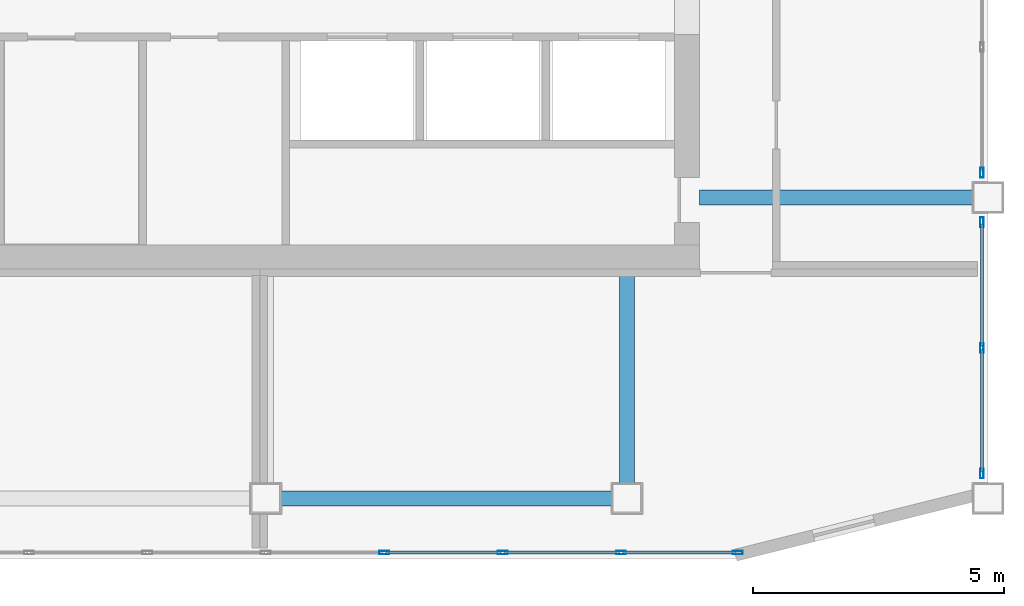
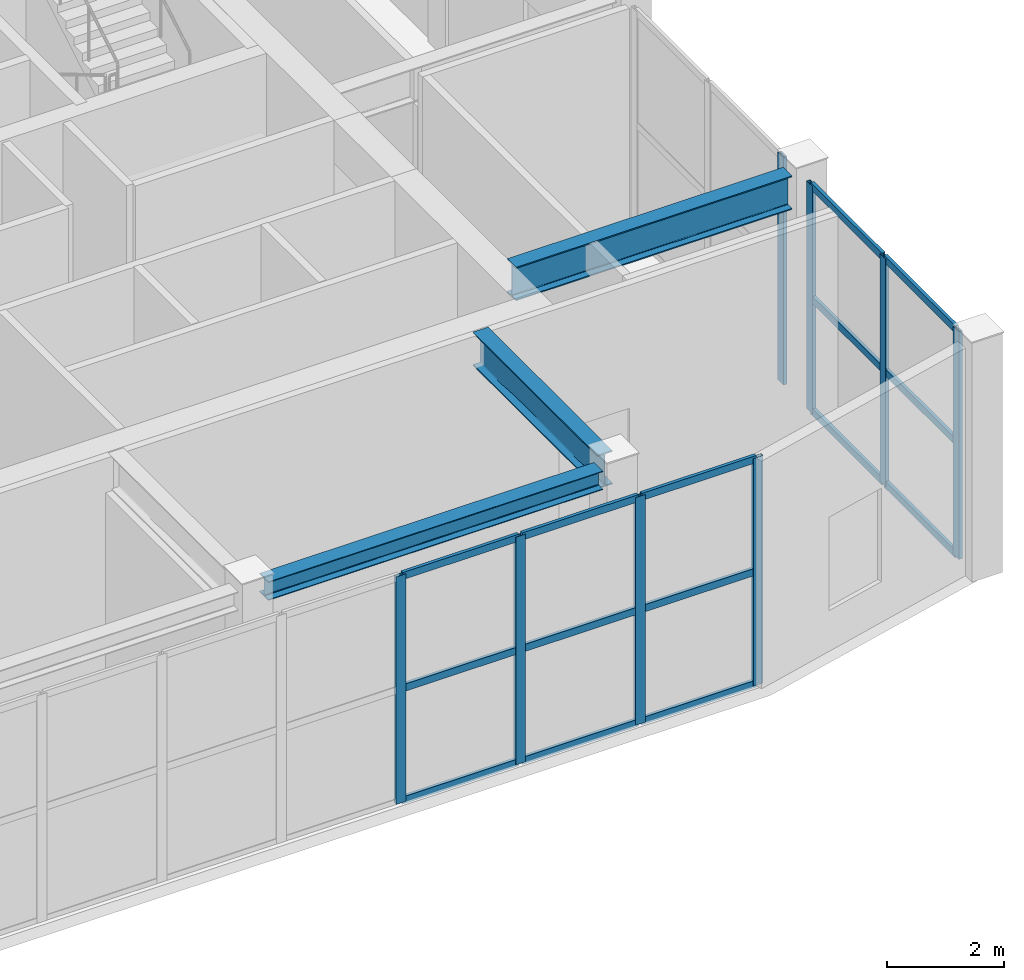
# One storey, part 4 of 11: 23 members, 3 beams, 3 elements without a shape of their own.
"""IFC4 building model written with IfcOpenShell, lengths in metres."""

from ifc_helpers import new_model, si_unit, direction, frame, origin, origin_2d, place, context, subcontext, project, spatial, hollow_rectangle, i_section, extrude, material, layer, layer_set, material_profile, profile_set, type_object, element, aggregate, save


model = new_model("IFC4")

# Units and contexts
model_context = context("Model", 3, precision=1e-05, world=origin(), true_north=direction((0.0, 1.0)))
body_context = subcontext(model_context, "Body", "Model", "MODEL_VIEW")
ifc_project = project(units=[si_unit("LENGTHUNIT", "METRE"), si_unit("AREAUNIT", "SQUARE_METRE"), si_unit("VOLUMEUNIT", "CUBIC_METRE"), si_unit("PLANEANGLEUNIT", "RADIAN"), si_unit("MASSUNIT", "GRAM", prefix="KILO")], contexts=[model_context])

# Site, building, storey
site_placement = place(None, origin())
site = spatial("IfcSite", under=ifc_project, at=site_placement, CompositionType="ELEMENT")
building_placement = place(site_placement, origin())
building = spatial("IfcBuilding", under=site, at=building_placement, Name="Haolan Belvedere Tower", CompositionType="ELEMENT")
storey_placement = place(building_placement, frame((0.0, 0.0, 323.199951171875)))
storey = spatial("IfcBuildingStorey", under=building, at=storey_placement, Name="L81", CompositionType="ELEMENT", Elevation=323.199951171875)

# Beams
ifc_material_1 = material(Name="Steel Q355B", Category="steel")
ifc_material_profile_1 = material_profile(ifc_material_1, i_section(OverallWidth=0.300048828125, OverallDepth=0.389892578125, WebThickness=0.010009765625, FlangeThickness=0.01611328125, FilletRadius=0.02197265625, at=origin_2d()), Name="Steel Q355B")
ifc_profile_set_1 = profile_set([ifc_material_profile_1], Name="Steel Q355B")
beam_type_1 = type_object("IfcBeamType", Name="BM-HM390x300x10x16", PredefinedType="SPANDREL", material=ifc_profile_set_1)
beam_1_placement = place(storey_placement, frame((38.699951171875, 21.60009765625, 4.554931640625), z_axis=(1.0, 0.0, 0.0), x_axis=(0.0, 1.0, 0.0)))
element("IfcBeam", 1, at=beam_1_placement, inside=storey, type_object=beam_type_1, Name="L81 spandrel girder TC-T3-SM-MC-T3-S2", PredefinedType="SPANDREL", context=body_context, shape_type="SweptSolid", body=[
    extrude(i_section(OverallWidth=0.300048828125, OverallDepth=0.389892578125, WebThickness=0.010009765625, FlangeThickness=0.01611328125, FilletRadius=0.02197265625, at=origin_2d()), origin(), (0.0, 0.0, 1.0), 6.60009765625),
])
ifc_material_profile_2 = material_profile(ifc_material_1, i_section(OverallWidth=0.300048828125, OverallDepth=0.699951171875, WebThickness=0.012939453125, FlangeThickness=0.02392578125, FilletRadius=0.02587890625, at=origin_2d()), Name="Steel Q355B")
ifc_profile_set_2 = profile_set([ifc_material_profile_2], Name="Steel Q355B")
beam_type_2 = type_object("IfcBeamType", Name="BM-HN700x300x13x24", PredefinedType="BEAM", material=ifc_profile_set_2)
beam_2_placement = place(storey_placement, frame((52.5, 27.60009765625, 4.400146484375), z_axis=(-1.0, 0.0, 0.0), x_axis=(0.0, -1.0, 0.0)))
element("IfcBeam", 2, at=beam_2_placement, inside=storey, type_object=beam_type_2, Name="L81 core tie beam from TC-T3-E1", PredefinedType="BEAM", context=body_context, shape_type="SweptSolid", body=[
    extrude(i_section(OverallWidth=0.300048828125, OverallDepth=0.699951171875, WebThickness=0.012939453125, FlangeThickness=0.02392578125, FilletRadius=0.02587890625, at=origin_2d()), origin(), (0.0, 0.0, 1.0), 5.449951171875),
])
beam_3_placement = place(storey_placement, frame((45.60009765625, 21.89990234375, 4.400146484375), z_axis=(0.0, 1.0, 0.0), x_axis=(-1.0, 0.0, 0.0)))
element("IfcBeam", 3, at=beam_3_placement, inside=storey, type_object=beam_type_2, Name="L81 core tie beam from MC-T3-S2", PredefinedType="BEAM", context=body_context, shape_type="SweptSolid", body=[
    extrude(i_section(OverallWidth=0.300048828125, OverallDepth=0.699951171875, WebThickness=0.012939453125, FlangeThickness=0.02392578125, FilletRadius=0.02587890625, at=origin_2d()), origin(), (0.0, 0.0, 1.0), 4.25),
])

# Curtain wall, members
ifc_material_2 = material(Name="Anodised champagne-silver aluminium 6063-T6 and Low-E glass", Category="aluminium")
ifc_layer = layer(ifc_material_2, 0.195068359375, Name="Anodised champagne-silver aluminium 6063-T6 and Low-E glass")
ifc_layer_set = layer_set([ifc_layer], Name="Anodised champagne-silver aluminium 6063-T6 and Low-E glass")
curtain_wall_type = type_object("IfcCurtainWallType", Name="CW-SYS-06", PredefinedType="NOTDEFINED", material=ifc_layer_set)
curtain_wall_1_placement = place(storey_placement, origin())
curtain_wall_1 = element("IfcCurtainWall", 4, at=curtain_wall_1_placement, inside=storey, type_object=curtain_wall_type, Name="L81 CW-SYS-06 ribbon curtain wall 1.1", PredefinedType="NOTDEFINED")
ifc_material_3 = material(Name="Anodised aluminium 6063-T6", Category="aluminium")
ifc_material_profile_3 = material_profile(ifc_material_3, hollow_rectangle(XDim=0.070068359375, YDim=0.195068359375, WallThickness=0.00390625, at=origin_2d()), Name="Anodised aluminium 6063-T6")
ifc_profile_set_3 = profile_set([ifc_material_profile_3], Name="Anodised aluminium 6063-T6")
member_type_1 = type_object("IfcMemberType", Name="CW-SYS-06-MUL", PredefinedType="MULLION", material=ifc_profile_set_3)
member_1_placement = place(storey_placement, frame((40.76123046875, 20.52001953125, 0.0), z_axis=(0.0, 0.0, 1.0), x_axis=(0.0, 1.0, 0.0)))
member_1 = element("IfcMember", 5, at=member_1_placement, type_object=member_type_1, Name="CW-06 mullion 6", PredefinedType="MULLION", context=body_context, shape_type="SweptSolid", body=[
    extrude(hollow_rectangle(XDim=0.070068359375, YDim=0.195068359375, WallThickness=0.00390625, at=origin_2d()), origin(), (0.0, 0.0, 1.0), 4.75),
])
member_2_placement = place(storey_placement, frame((43.12255859375, 20.52001953125, 0.0), z_axis=(0.0, 0.0, 1.0), x_axis=(0.0, 1.0, 0.0)))
member_2 = element("IfcMember", 6, at=member_2_placement, type_object=member_type_1, Name="CW-06 mullion 7", PredefinedType="MULLION", context=body_context, shape_type="SweptSolid", body=[
    extrude(hollow_rectangle(XDim=0.070068359375, YDim=0.195068359375, WallThickness=0.00390625, at=origin_2d()), origin(), (0.0, 0.0, 1.0), 4.75),
])
member_3_placement = place(storey_placement, frame((45.48388671875, 20.52001953125, 0.0), z_axis=(0.0, 0.0, 1.0), x_axis=(0.0, 1.0, 0.0)))
member_3 = element("IfcMember", 7, at=member_3_placement, type_object=member_type_1, Name="CW-06 mullion 8", PredefinedType="MULLION", context=body_context, shape_type="SweptSolid", body=[
    extrude(hollow_rectangle(XDim=0.070068359375, YDim=0.195068359375, WallThickness=0.00390625, at=origin_2d()), origin(), (0.0, 0.0, 1.0), 4.75),
])
member_4_placement = place(storey_placement, frame((47.810302734375, 20.52001953125, 0.0), z_axis=(0.0, 0.0, 1.0), x_axis=(0.0, 1.0, 0.0)))
member_4 = element("IfcMember", 8, at=member_4_placement, type_object=member_type_1, Name="CW-06 mullion 9", PredefinedType="MULLION", context=body_context, shape_type="SweptSolid", body=[
    extrude(hollow_rectangle(XDim=0.070068359375, YDim=0.195068359375, WallThickness=0.00390625, at=origin_2d()), origin(), (0.0, 0.0, 1.0), 4.75),
])

curtain_wall_2_placement = place(storey_placement, origin())
curtain_wall_2 = element("IfcCurtainWall", 9, at=curtain_wall_2_placement, inside=storey, type_object=curtain_wall_type, Name="L81 CW-SYS-06 ribbon curtain wall 3.1", PredefinedType="NOTDEFINED")
member_5_placement = place(storey_placement, frame((52.679931640625, 22.094970703125, 0.0), z_axis=(0.0, 0.0, 1.0), x_axis=(-1.0, 0.0, 0.0)))
member_5 = element("IfcMember", 10, at=member_5_placement, type_object=member_type_1, Name="CW-06 mullion 1", PredefinedType="MULLION", context=body_context, shape_type="SweptSolid", body=[
    extrude(hollow_rectangle(XDim=0.070068359375, YDim=0.195068359375, WallThickness=0.00390625, at=origin_2d()), origin(), (0.0, 0.0, 1.0), 4.75),
])
member_6_placement = place(storey_placement, frame((52.679931640625, 24.60009765625, 0.0), z_axis=(0.0, 0.0, 1.0), x_axis=(-1.0, 0.0, 0.0)))
member_6 = element("IfcMember", 11, at=member_6_placement, type_object=member_type_1, Name="CW-06 mullion 2", PredefinedType="MULLION", context=body_context, shape_type="SweptSolid", body=[
    extrude(hollow_rectangle(XDim=0.070068359375, YDim=0.195068359375, WallThickness=0.00390625, at=origin_2d()), origin(), (0.0, 0.0, 1.0), 4.75),
])
member_7_placement = place(storey_placement, frame((52.679931640625, 27.10498046875, 0.0), z_axis=(0.0, 0.0, 1.0), x_axis=(-1.0, 0.0, 0.0)))
member_7 = element("IfcMember", 12, at=member_7_placement, type_object=member_type_1, Name="CW-06 mullion 3", PredefinedType="MULLION", context=body_context, shape_type="SweptSolid", body=[
    extrude(hollow_rectangle(XDim=0.070068359375, YDim=0.195068359375, WallThickness=0.00390625, at=origin_2d()), origin(), (0.0, 0.0, 1.0), 4.75),
])

# Curtain wall, member
curtain_wall_3_placement = place(storey_placement, origin())
curtain_wall_3 = element("IfcCurtainWall", 13, at=curtain_wall_3_placement, inside=storey, type_object=curtain_wall_type, Name="L81 CW-SYS-06 ribbon curtain wall 3.2", PredefinedType="NOTDEFINED")
member_8_placement = place(storey_placement, frame((52.679931640625, 28.094970703125, 0.0), z_axis=(0.0, 0.0, 1.0), x_axis=(-1.0, 0.0, 0.0)))
member_8 = element("IfcMember", 14, at=member_8_placement, type_object=member_type_1, Name="CW-06 mullion 1", PredefinedType="MULLION", context=body_context, shape_type="SweptSolid", body=[
    extrude(hollow_rectangle(XDim=0.070068359375, YDim=0.195068359375, WallThickness=0.00390625, at=origin_2d()), origin(), (0.0, 0.0, 1.0), 4.75),
])
aggregate(curtain_wall_3, [member_8])

# Member
ifc_material_profile_4 = material_profile(ifc_material_3, hollow_rectangle(XDim=0.06494140625, YDim=0.14990234375, WallThickness=0.00390625, at=origin_2d()), Name="Anodised aluminium 6063-T6")
ifc_profile_set_4 = profile_set([ifc_material_profile_4], Name="Anodised aluminium 6063-T6")
member_type_2 = type_object("IfcMemberType", Name="CW-SYS-06-TRN", PredefinedType="USERDEFINED", material=ifc_profile_set_4)
member_9_placement = place(storey_placement, frame((40.79638671875, 20.52001953125, 0.032470703125), z_axis=(1.0, 0.0, 0.0), x_axis=(0.0, 1.0, 0.0)))
member_9 = element("IfcMember", 15, at=member_9_placement, type_object=member_type_2, Name="CW-06 transom 6.1", ObjectType="TRANSOM", PredefinedType="USERDEFINED", context=body_context, shape_type="SweptSolid", body=[
    extrude(hollow_rectangle(XDim=0.06494140625, YDim=0.14990234375, WallThickness=0.00390625, at=origin_2d()), origin(), (0.0, 0.0, 1.0), 2.291259765625),
])

member_10_placement = place(storey_placement, frame((40.79638671875, 20.52001953125, 2.375), z_axis=(1.0, 0.0, 0.0), x_axis=(0.0, 1.0, 0.0)))
member_10 = element("IfcMember", 16, at=member_10_placement, type_object=member_type_2, Name="CW-06 transom 6.2", ObjectType="TRANSOM", PredefinedType="USERDEFINED", context=body_context, shape_type="SweptSolid", body=[
    extrude(hollow_rectangle(XDim=0.06494140625, YDim=0.14990234375, WallThickness=0.00390625, at=origin_2d()), origin(), (0.0, 0.0, 1.0), 2.291259765625),
])

member_11_placement = place(storey_placement, frame((40.79638671875, 20.52001953125, 4.717529296875), z_axis=(1.0, 0.0, 0.0), x_axis=(0.0, 1.0, 0.0)))
member_11 = element("IfcMember", 17, at=member_11_placement, type_object=member_type_2, Name="CW-06 transom 6.3", ObjectType="TRANSOM", PredefinedType="USERDEFINED", context=body_context, shape_type="SweptSolid", body=[
    extrude(hollow_rectangle(XDim=0.06494140625, YDim=0.14990234375, WallThickness=0.00390625, at=origin_2d()), origin(), (0.0, 0.0, 1.0), 2.291259765625),
])

member_12_placement = place(storey_placement, frame((43.15771484375, 20.52001953125, 0.032470703125), z_axis=(1.0, 0.0, 0.0), x_axis=(0.0, 1.0, 0.0)))
member_12 = element("IfcMember", 18, at=member_12_placement, type_object=member_type_2, Name="CW-06 transom 7.1", ObjectType="TRANSOM", PredefinedType="USERDEFINED", context=body_context, shape_type="SweptSolid", body=[
    extrude(hollow_rectangle(XDim=0.06494140625, YDim=0.14990234375, WallThickness=0.00390625, at=origin_2d()), origin(), (0.0, 0.0, 1.0), 2.291259765625),
])

member_13_placement = place(storey_placement, frame((43.15771484375, 20.52001953125, 2.375), z_axis=(1.0, 0.0, 0.0), x_axis=(0.0, 1.0, 0.0)))
member_13 = element("IfcMember", 19, at=member_13_placement, type_object=member_type_2, Name="CW-06 transom 7.2", ObjectType="TRANSOM", PredefinedType="USERDEFINED", context=body_context, shape_type="SweptSolid", body=[
    extrude(hollow_rectangle(XDim=0.06494140625, YDim=0.14990234375, WallThickness=0.00390625, at=origin_2d()), origin(), (0.0, 0.0, 1.0), 2.291259765625),
])

member_14_placement = place(storey_placement, frame((43.15771484375, 20.52001953125, 4.717529296875), z_axis=(1.0, 0.0, 0.0), x_axis=(0.0, 1.0, 0.0)))
member_14 = element("IfcMember", 20, at=member_14_placement, type_object=member_type_2, Name="CW-06 transom 7.3", ObjectType="TRANSOM", PredefinedType="USERDEFINED", context=body_context, shape_type="SweptSolid", body=[
    extrude(hollow_rectangle(XDim=0.06494140625, YDim=0.14990234375, WallThickness=0.00390625, at=origin_2d()), origin(), (0.0, 0.0, 1.0), 2.291259765625),
])

member_15_placement = place(storey_placement, frame((45.518798828125, 20.52001953125, 0.032470703125), z_axis=(1.0, 0.0, 0.0), x_axis=(0.0, 1.0, 0.0)))
member_15 = element("IfcMember", 21, at=member_15_placement, type_object=member_type_2, Name="CW-06 transom 8.1", ObjectType="TRANSOM", PredefinedType="USERDEFINED", context=body_context, shape_type="SweptSolid", body=[
    extrude(hollow_rectangle(XDim=0.06494140625, YDim=0.14990234375, WallThickness=0.00390625, at=origin_2d()), origin(), (0.0, 0.0, 1.0), 2.25634765625),
])

member_16_placement = place(storey_placement, frame((45.518798828125, 20.52001953125, 2.375), z_axis=(1.0, 0.0, 0.0), x_axis=(0.0, 1.0, 0.0)))
member_16 = element("IfcMember", 22, at=member_16_placement, type_object=member_type_2, Name="CW-06 transom 8.2", ObjectType="TRANSOM", PredefinedType="USERDEFINED", context=body_context, shape_type="SweptSolid", body=[
    extrude(hollow_rectangle(XDim=0.06494140625, YDim=0.14990234375, WallThickness=0.00390625, at=origin_2d()), origin(), (0.0, 0.0, 1.0), 2.25634765625),
])

member_17_placement = place(storey_placement, frame((45.518798828125, 20.52001953125, 4.717529296875), z_axis=(1.0, 0.0, 0.0), x_axis=(0.0, 1.0, 0.0)))
member_17 = element("IfcMember", 23, at=member_17_placement, type_object=member_type_2, Name="CW-06 transom 8.3", ObjectType="TRANSOM", PredefinedType="USERDEFINED", context=body_context, shape_type="SweptSolid", body=[
    extrude(hollow_rectangle(XDim=0.06494140625, YDim=0.14990234375, WallThickness=0.00390625, at=origin_2d()), origin(), (0.0, 0.0, 1.0), 2.25634765625),
])

aggregate(curtain_wall_1, [member_1, member_2, member_3, member_4, member_9, member_10, member_11, member_12, member_13, member_14, member_15, member_16, member_17])

member_18_placement = place(storey_placement, frame((52.679931640625, 22.1298828125, 0.032470703125), z_axis=(0.0, 1.0, 0.0), x_axis=(-1.0, 0.0, 0.0)))
member_18 = element("IfcMember", 24, at=member_18_placement, type_object=member_type_2, Name="CW-06 transom 1.1", ObjectType="TRANSOM", PredefinedType="USERDEFINED", context=body_context, shape_type="SweptSolid", body=[
    extrude(hollow_rectangle(XDim=0.06494140625, YDim=0.14990234375, WallThickness=0.00390625, at=origin_2d()), origin(), (0.0, 0.0, 1.0), 2.43505859375),
])

member_19_placement = place(storey_placement, frame((52.679931640625, 22.1298828125, 2.375), z_axis=(0.0, 1.0, 0.0), x_axis=(-1.0, 0.0, 0.0)))
member_19 = element("IfcMember", 25, at=member_19_placement, type_object=member_type_2, Name="CW-06 transom 1.2", ObjectType="TRANSOM", PredefinedType="USERDEFINED", context=body_context, shape_type="SweptSolid", body=[
    extrude(hollow_rectangle(XDim=0.06494140625, YDim=0.14990234375, WallThickness=0.00390625, at=origin_2d()), origin(), (0.0, 0.0, 1.0), 2.43505859375),
])

member_20_placement = place(storey_placement, frame((52.679931640625, 22.1298828125, 4.717529296875), z_axis=(0.0, 1.0, 0.0), x_axis=(-1.0, 0.0, 0.0)))
member_20 = element("IfcMember", 26, at=member_20_placement, type_object=member_type_2, Name="CW-06 transom 1.3", ObjectType="TRANSOM", PredefinedType="USERDEFINED", context=body_context, shape_type="SweptSolid", body=[
    extrude(hollow_rectangle(XDim=0.06494140625, YDim=0.14990234375, WallThickness=0.00390625, at=origin_2d()), origin(), (0.0, 0.0, 1.0), 2.43505859375),
])

member_21_placement = place(storey_placement, frame((52.679931640625, 24.635009765625, 0.032470703125), z_axis=(0.0, 1.0, 0.0), x_axis=(-1.0, 0.0, 0.0)))
member_21 = element("IfcMember", 27, at=member_21_placement, type_object=member_type_2, Name="CW-06 transom 2.1", ObjectType="TRANSOM", PredefinedType="USERDEFINED", context=body_context, shape_type="SweptSolid", body=[
    extrude(hollow_rectangle(XDim=0.06494140625, YDim=0.14990234375, WallThickness=0.00390625, at=origin_2d()), origin(), (0.0, 0.0, 1.0), 2.43505859375),
])

member_22_placement = place(storey_placement, frame((52.679931640625, 24.635009765625, 2.375), z_axis=(0.0, 1.0, 0.0), x_axis=(-1.0, 0.0, 0.0)))
member_22 = element("IfcMember", 28, at=member_22_placement, type_object=member_type_2, Name="CW-06 transom 2.2", ObjectType="TRANSOM", PredefinedType="USERDEFINED", context=body_context, shape_type="SweptSolid", body=[
    extrude(hollow_rectangle(XDim=0.06494140625, YDim=0.14990234375, WallThickness=0.00390625, at=origin_2d()), origin(), (0.0, 0.0, 1.0), 2.43505859375),
])

member_23_placement = place(storey_placement, frame((52.679931640625, 24.635009765625, 4.717529296875), z_axis=(0.0, 1.0, 0.0), x_axis=(-1.0, 0.0, 0.0)))
member_23 = element("IfcMember", 29, at=member_23_placement, type_object=member_type_2, Name="CW-06 transom 2.3", ObjectType="TRANSOM", PredefinedType="USERDEFINED", context=body_context, shape_type="SweptSolid", body=[
    extrude(hollow_rectangle(XDim=0.06494140625, YDim=0.14990234375, WallThickness=0.00390625, at=origin_2d()), origin(), (0.0, 0.0, 1.0), 2.43505859375),
])

aggregate(curtain_wall_2, [member_5, member_6, member_7, member_18, member_19, member_20, member_21, member_22, member_23])

save(model, "model.ifc")
